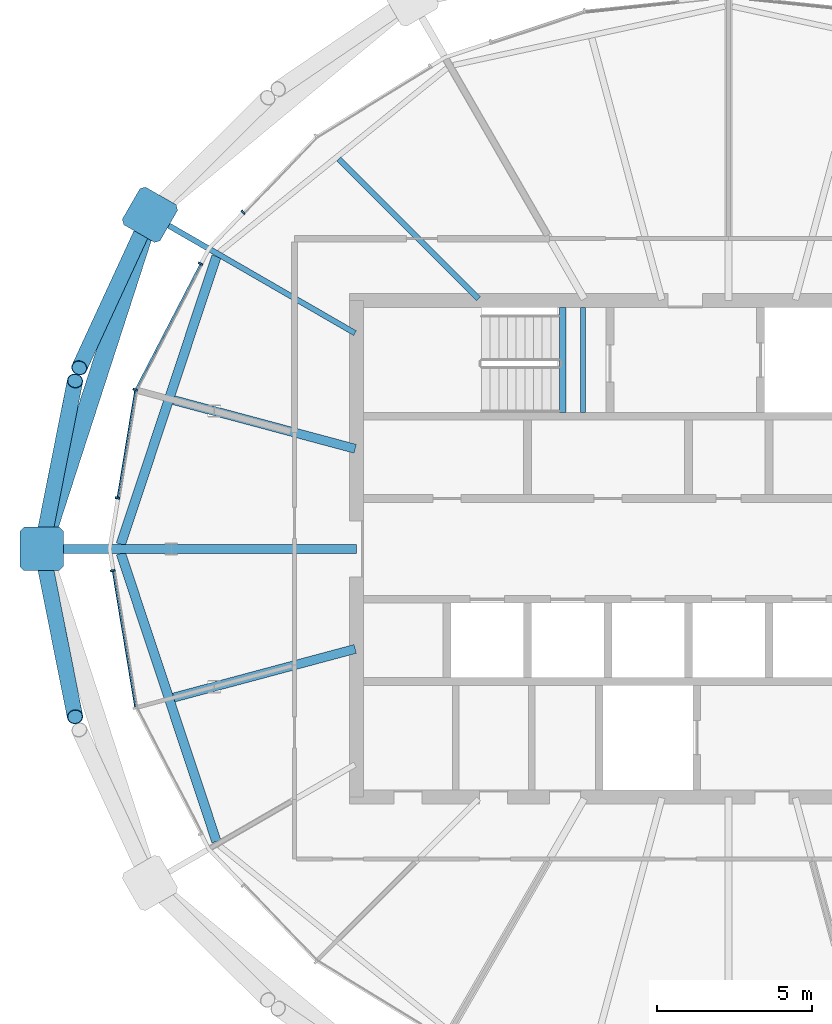
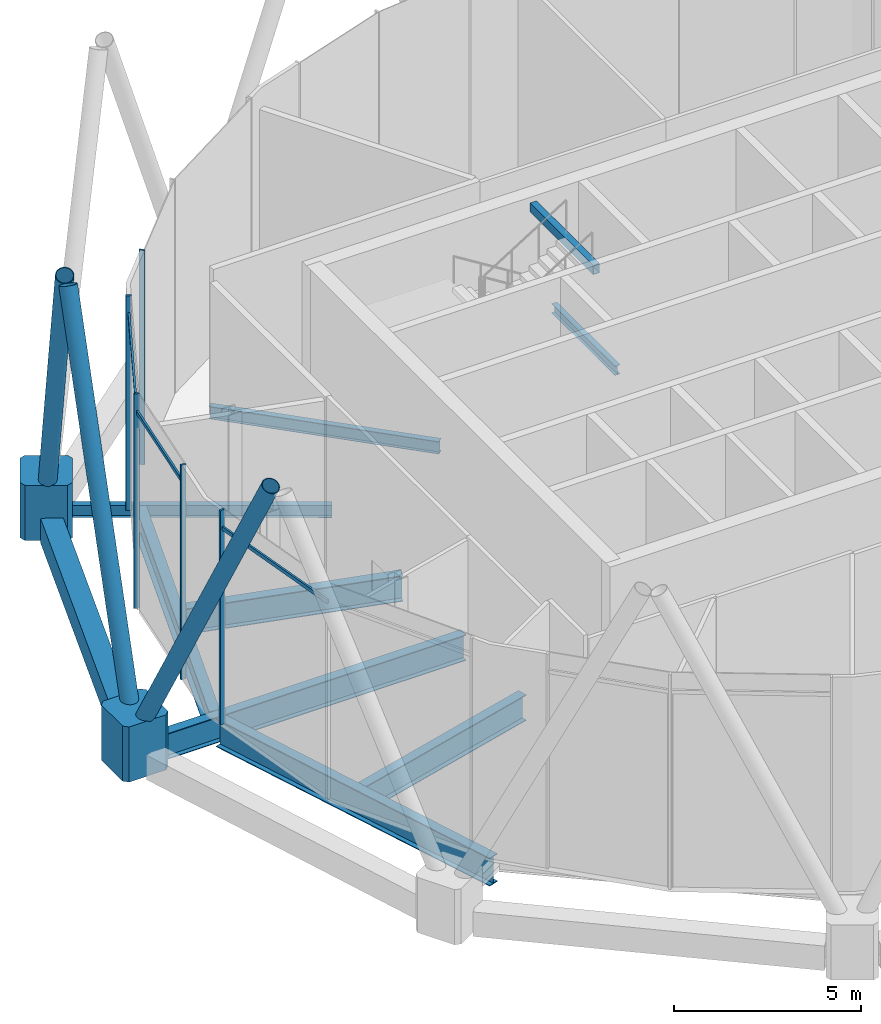
# One storey, part 5 of 28: 13 members, 10 beams, 1 element without a shape of its own.
"""IFC4 building model written with IfcOpenShell, lengths in metres."""

from ifc_helpers import new_model, si_unit, direction, frame, origin, origin_2d, place, context, subcontext, project, spatial, polyline, rectangle, hollow_rectangle, hollow_circle, i_section, outline, extrude, material, material_profile, profile_set, type_object, element, aggregate, save


model = new_model("IFC4")

# Units and contexts
model_context = context("Model", 3, precision=1e-05, world=origin(), true_north=direction((0.0, 1.0)))
body_context = subcontext(model_context, "Body", "Model", "MODEL_VIEW")
ifc_project = project(units=[si_unit("LENGTHUNIT", "METRE"), si_unit("AREAUNIT", "SQUARE_METRE"), si_unit("VOLUMEUNIT", "CUBIC_METRE"), si_unit("PLANEANGLEUNIT", "RADIAN"), si_unit("MASSUNIT", "GRAM", prefix="KILO")], contexts=[model_context])

# Site, building, storey
site_placement = place(None, origin())
site = spatial("IfcSite", under=ifc_project, at=site_placement, CompositionType="ELEMENT")
building_placement = place(site_placement, origin())
building = spatial("IfcBuilding", under=site, at=building_placement, Name="Rimbun Link Towers", CompositionType="ELEMENT")
storey_placement = place(building_placement, frame((0.0, 0.0, 256.10009765625)))
storey = spatial("IfcBuildingStorey", under=building, at=storey_placement, Name="L63", CompositionType="ELEMENT", Elevation=256.10009765625)

# Curtain wall, members
ifc_material_1 = material(Name="Aluminium 6063-T6 and low-iron glass", Category="aluminium")
curtain_wall_type = type_object("IfcCurtainWallType", Name="CW5 full height lobby wall", PredefinedType="NOTDEFINED", material=ifc_material_1)
curtain_wall_placement = place(storey_placement, origin())
curtain_wall = element("IfcCurtainWall", 1, at=curtain_wall_placement, inside=storey, type_object=curtain_wall_type, Name="CW5 L63 T1", PredefinedType="NOTDEFINED")
ifc_material_2 = material(Name="Aluminium 6063-T6", Category="aluminium")
ifc_material_profile_1 = material_profile(ifc_material_2, rectangle(XDim=0.14990234375, YDim=0.06005859375, at=origin_2d()), Name="MULLION 60X150")
ifc_profile_set_1 = profile_set([ifc_material_profile_1], Name="Aluminium 6063-T6")
member_type_1 = type_object("IfcMemberType", Name="CW5 mullion 60X150", PredefinedType="MULLION", material=ifc_profile_set_1)
member_1_placement = place(storey_placement, frame((-47.404296875, 10.852783203125, 0.0), z_axis=(0.0, 0.0, 1.0), x_axis=(-0.721846906045, 0.692052775613, 0.0)))
member_1 = element("IfcMember", 2, at=member_1_placement, type_object=member_type_1, Name="CW5 mullion", PredefinedType="MULLION", context=body_context, shape_type="SweptSolid", body=[
    extrude(rectangle(XDim=0.14990234375, YDim=0.06005859375, at=origin_2d()), origin(), (0.0, 0.0, 1.0), 7.0),
])
member_2_placement = place(storey_placement, frame((-50.877685546875, 5.1298828125, 0.0), z_axis=(0.0, 0.0, 1.0), x_axis=(-0.949163280594, 0.314784159024, 0.0)))
member_2 = element("IfcMember", 3, at=member_2_placement, type_object=member_type_1, Name="CW5 mullion", PredefinedType="MULLION", context=body_context, shape_type="SweptSolid", body=[
    extrude(rectangle(XDim=0.14990234375, YDim=0.06005859375, at=origin_2d()), origin(), (0.0, 0.0, 1.0), 7.0),
])
member_3_placement = place(storey_placement, frame((-48.77685546875, 9.19189453125, 0.0), z_axis=(0.0, 0.0, 1.0), x_axis=(-0.888151565285, 0.459550646917, 0.0)))
member_3 = element("IfcMember", 4, at=member_3_placement, type_object=member_type_1, Name="CW5 mullion", PredefinedType="MULLION", context=body_context, shape_type="SweptSolid", body=[
    extrude(rectangle(XDim=0.14990234375, YDim=0.06005859375, at=origin_2d()), origin(), (0.0, 0.0, 1.0), 7.0),
])
member_4_placement = place(storey_placement, frame((-51.452392578125, 1.640380859375, 0.0), z_axis=(0.0, 0.0, 1.0), x_axis=(-0.986749868791, 0.162248871928, 0.0)))
member_4 = element("IfcMember", 5, at=member_4_placement, type_object=member_type_1, Name="CW5 mullion", PredefinedType="MULLION", context=body_context, shape_type="SweptSolid", body=[
    extrude(rectangle(XDim=0.14990234375, YDim=0.06005859375, at=origin_2d()), origin(), (0.0, 0.0, 1.0), 7.0),
])
member_5_placement = place(storey_placement, frame((-51.6064453125, -0.702880859375, 0.0), z_axis=(0.0, 0.0, 1.0), x_axis=(-0.986749868791, -0.162248871928, 0.0)))
member_5 = element("IfcMember", 6, at=member_5_placement, type_object=member_type_1, Name="CW5 mullion", PredefinedType="MULLION", context=body_context, shape_type="SweptSolid", body=[
    extrude(rectangle(XDim=0.14990234375, YDim=0.06005859375, at=origin_2d()), origin(), (0.0, 0.0, 1.0), 7.0),
])
ifc_material_3 = material(Name="Aluminium 6063-T6", Category="aluminium")
ifc_material_profile_2 = material_profile(ifc_material_3, rectangle(XDim=0.06005859375, YDim=0.1201171875, at=origin_2d()), Name="TRANSOM 60X120")
ifc_profile_set_2 = profile_set([ifc_material_profile_2], Name="Aluminium 6063-T6")
member_type_2 = type_object("IfcMemberType", Name="CW5 transom 60X120", PredefinedType="USERDEFINED", material=ifc_profile_set_2)
member_6_placement = place(storey_placement, frame((-50.84765625, 5.161376953125, 6.39990234375), z_axis=(0.459536524537, 0.888158872396, 0.0), x_axis=(-0.888158872396, 0.459536524537, 0.0)))
member_6 = element("IfcMember", 7, at=member_6_placement, type_object=member_type_2, Name="CW5 transom", ObjectType="TRANSOM", PredefinedType="USERDEFINED", context=body_context, shape_type="SweptSolid", body=[
    extrude(rectangle(XDim=0.06005859375, YDim=0.1201171875, at=origin_2d()), origin(), (0.0, 0.0, 1.0), 4.50146484375),
])
member_7_placement = place(storey_placement, frame((-51.4345703125, 1.667724609375, 6.39990234375), z_axis=(0.162204720611, 0.986757127469, 0.0), x_axis=(-0.986757127469, 0.162204720611, 0.0)))
member_7 = element("IfcMember", 8, at=member_7_placement, type_object=member_type_2, Name="CW5 transom", ObjectType="TRANSOM", PredefinedType="USERDEFINED", context=body_context, shape_type="SweptSolid", body=[
    extrude(rectangle(XDim=0.06005859375, YDim=0.1201171875, at=origin_2d()), origin(), (0.0, 0.0, 1.0), 3.46484375),
])
member_8_placement = place(storey_placement, frame((-50.87255859375, -5.086669921875, 6.39990234375), z_axis=(-0.162201436869, 0.986757667251, 0.0), x_axis=(-0.986757667251, -0.162201436869, 0.0)))
member_8 = element("IfcMember", 9, at=member_8_placement, type_object=member_type_2, Name="CW5 transom", ObjectType="TRANSOM", PredefinedType="USERDEFINED", context=body_context, shape_type="SweptSolid", body=[
    extrude(rectangle(XDim=0.06005859375, YDim=0.1201171875, at=origin_2d()), origin(), (0.0, 0.0, 1.0), 4.41455078125),
])
aggregate(curtain_wall, [member_1, member_2, member_3, member_4, member_5, member_6, member_7, member_8])

# Members
ifc_material_4 = material(Name="Steel S355J2H", Category="steel")
ifc_material_profile_3 = material_profile(ifc_material_4, hollow_circle(Radius=0.25390625, WallThickness=0.02001953125, at=origin_2d()), Name="Diagrid diagonal CHS 508x20")
ifc_profile_set_3 = profile_set([ifc_material_profile_3], Name="Steel S355J2H")
member_type_3 = type_object("IfcMemberType", Name="Diagrid diagonal CHS 508x20", PredefinedType="BRACE", material=ifc_profile_set_3)
member_9_placement = place(storey_placement, frame((-50.498291015625, 10.570556640625, 0.448486328125), z_axis=(-0.185020958526, -0.400785768117, 0.897294830578), x_axis=(0.907922393639, -0.419138315034, 0.0)))
element("IfcMember", 10, at=member_9_placement, inside=storey, type_object=member_type_3, Name="Diagrid diagonal T1 L63-L65 10b", PredefinedType="BRACE", context=body_context, shape_type="SweptSolid", body=[
    extrude(hollow_circle(Radius=0.25390625, WallThickness=0.02001953125, at=origin_2d()), origin(), (0.0, 0.0, 1.0), 11.81640625),
])
for number, where, z_axis, x_axis, name in (
    (11, (-53.8525390625, 0.218994140625, 0.447265625), (0.087052365511, 0.438309793037, 0.89459846355), (-0.980842132448, 0.19480428952, 0.0), "Diagrid diagonal T1 L63-L65 12a"),
    (12, (-53.8525390625, -0.218994140625, 0.447265625), (0.087052365511, -0.438309793037, 0.89459846355), (0.980842132448, 0.19480428952, 0.0), "Diagrid diagonal T1 L63-L65 12b"),
):
    element("IfcMember", number, at=place(storey_placement, frame(where, z_axis=z_axis, x_axis=x_axis)), inside=storey, type_object=member_type_3, Name=name, PredefinedType="BRACE", context=body_context, shape_type="SweptSolid", body=[
        extrude(hollow_circle(Radius=0.25390625, WallThickness=0.02001953125, at=origin_2d()), origin(), (0.0, 0.0, 1.0), 11.854736328125),
    ])
ifc_material_5 = material(Name="Cast steel G20Mn5+QT, Rp0.2 300 MPa", Category="steel")
ifc_material_profile_4 = material_profile(ifc_material_5, outline(polyline([(0.699951171875, -0.570068359375), (0.699951171875, 0.570068359375), (0.570068359375, 0.699951171875), (-0.570068359375, 0.699951171875), (-0.699951171875, 0.570068359375), (-0.699951171875, -0.570068359375), (-0.570068359375, -0.699951171875), (0.570068359375, -0.699951171875), (0.699951171875, -0.570068359375)])), Name="NODE 1400x1400")
ifc_profile_set_4 = profile_set([ifc_material_profile_4], Name="Cast steel G20Mn5+QT, Rp0.2 300 MPa")
member_type_4 = type_object("IfcMemberType", Name="Diagrid node cast 1400", PredefinedType="USERDEFINED", material=ifc_profile_set_4)
for number, where, z_axis, x_axis, name in (
    (13, (-50.406005859375, 10.77099609375, -0.900146484375), (0.0, 0.0, 1.0), (-0.866025403784, 0.5, 0.0), "Diagrid node L63 10"),
    (14, (-53.89599609375, 0.0, -0.900146484375), (0.0, 0.0, 1.0), (-1.0, 0.0, 0.0), "Diagrid node L63 12"),
):
    element("IfcMember", number, at=place(storey_placement, frame(where, z_axis=z_axis, x_axis=x_axis)), inside=storey, type_object=member_type_4, Name=name, ObjectType="Diagrid node", PredefinedType="USERDEFINED", context=body_context, shape_type="SweptSolid", body=[
        extrude(outline(polyline([(0.699951171875, -0.570068359375), (0.699951171875, 0.570068359375), (0.570068359375, 0.699951171875), (-0.570068359375, 0.699951171875), (-0.699951171875, 0.570068359375), (-0.699951171875, -0.570068359375), (-0.570068359375, -0.699951171875), (0.570068359375, -0.699951171875), (0.699951171875, -0.570068359375)])), origin(), (0.0, 0.0, 1.0), 1.800048828125),
    ])

# Beams
ifc_material_6 = material(Name="Steel S355J2", Category="steel")
ifc_material_profile_5 = material_profile(ifc_material_6, hollow_rectangle(XDim=0.60009765625, YDim=0.800048828125, WallThickness=0.0400390625, at=origin_2d()), Name="Exoskeleton ring girder BOX 600x800x40")
ifc_profile_set_5 = profile_set([ifc_material_profile_5], Name="Steel S355J2")
beam_type_1 = type_object("IfcBeamType", Name="Exoskeleton ring girder BOX 600x800x40", PredefinedType="BEAM", material=ifc_profile_set_5)
beam_1_placement = place(storey_placement, frame((-50.62158203125, 10.10498046875, -0.56005859375), z_axis=(-0.308259184516, -0.951302409942, 0.0), x_axis=(0.951302409942, -0.308259184516, 0.0)))
element("IfcBeam", 15, at=beam_1_placement, inside=storey, type_object=beam_type_1, Name="Exoskeleton ring girder L63 05", PredefinedType="BEAM", context=body_context, shape_type="SweptSolid", body=[
    extrude(hollow_rectangle(XDim=0.60009765625, YDim=0.800048828125, WallThickness=0.0400390625, at=origin_2d()), origin(), (0.0, 0.0, 1.0), 9.922119140625),
])
ifc_material_7 = material(Name="Steel S355J2", Category="steel")
ifc_material_profile_6 = material_profile(ifc_material_7, i_section(OverallWidth=0.1650390625, OverallDepth=0.303466796875, WebThickness=0.006103515625, FlangeThickness=0.01025390625, at=origin_2d()), Name="UB 305x165x40")
ifc_profile_set_6 = profile_set([ifc_material_profile_6], Name="Steel S355J2")
beam_type_2 = type_object("IfcBeamType", Name="Stair landing beam UB 305x165x40", PredefinedType="BEAM", material=ifc_profile_set_6)
beam_2_placement = place(storey_placement, frame((-36.449951171875, 7.77490234375, 3.148193359375), z_axis=(0.0, -1.0, 0.0), x_axis=(1.0, 0.0, 0.0)))
element("IfcBeam", 16, at=beam_2_placement, inside=storey, type_object=beam_type_2, Name="L63 ST1 stair beam 1", PredefinedType="BEAM", context=body_context, shape_type="SweptSolid", body=[
    extrude(i_section(OverallWidth=0.1650390625, OverallDepth=0.303466796875, WebThickness=0.006103515625, FlangeThickness=0.01025390625, at=origin_2d()), origin(), (0.0, 0.0, 1.0), 3.375),
])
ifc_material_8 = material(Name="Steel S355J2", Category="steel")
ifc_material_profile_7 = material_profile(ifc_material_8, hollow_rectangle(XDim=0.199951171875, YDim=0.300048828125, WallThickness=0.011962890625, at=origin_2d()), Name="BOX 300x200x12")
ifc_profile_set_7 = profile_set([ifc_material_profile_7], Name="Steel S355J2")
beam_type_3 = type_object("IfcBeamType", Name="Stair trimmer beam BOX 300x200x12", PredefinedType="BEAM", material=ifc_profile_set_7)
beam_3_placement = place(storey_placement, frame((-37.10009765625, 7.77490234375, 6.669921875), z_axis=(0.0, -1.0, 0.0), x_axis=(1.0, 0.0, 0.0)))
element("IfcBeam", 17, at=beam_3_placement, inside=storey, type_object=beam_type_3, Name="L63 ST1 stair beam 2", PredefinedType="BEAM", context=body_context, shape_type="SweptSolid", body=[
    extrude(hollow_rectangle(XDim=0.199951171875, YDim=0.300048828125, WallThickness=0.011962890625, at=origin_2d()), origin(), (0.0, 0.0, 1.0), 3.375),
])
ifc_material_9 = material(Name="Steel S355J2", Category="steel")
ifc_material_profile_8 = material_profile(ifc_material_9, i_section(OverallWidth=0.177978515625, OverallDepth=0.406494140625, WebThickness=0.0078125, FlangeThickness=0.0126953125, at=origin_2d()), Name="UB 406x178x60")
ifc_profile_set_8 = profile_set([ifc_material_profile_8], Name="Steel S355J2")
beam_type_4 = type_object("IfcBeamType", Name="UB 406x178x60", PredefinedType="BEAM", material=ifc_profile_set_8)
beam_4_placement = place(storey_placement, frame((-39.813720703125, 8.063720703125, -0.38330078125), z_axis=(-0.707106781187, 0.707106781187, 0.0), x_axis=(-0.707106781187, -0.707106781187, 0.0)))
element("IfcBeam", 18, at=beam_4_placement, inside=storey, type_object=beam_type_4, Name="Radial beam T1 L63 09", PredefinedType="BEAM", context=body_context, shape_type="SweptSolid", body=[
    extrude(i_section(OverallWidth=0.177978515625, OverallDepth=0.406494140625, WebThickness=0.0078125, FlangeThickness=0.0126953125, at=origin_2d()), origin(), (0.0, 0.0, 1.0), 6.366455078125),
])
beam_5_placement = place(storey_placement, frame((-43.79541015625, 6.954345703125, -0.38330078125), z_axis=(-0.866020866682, 0.50000785841, 0.0), x_axis=(-0.50000785841, -0.866020866682, 0.0)))
element("IfcBeam", 19, at=beam_5_placement, inside=storey, type_object=beam_type_4, Name="Radial beam T1 L63 10", PredefinedType="BEAM", context=body_context, shape_type="SweptSolid", body=[
    extrude(i_section(OverallWidth=0.177978515625, OverallDepth=0.406494140625, WebThickness=0.0078125, FlangeThickness=0.0126953125, at=origin_2d()), origin(), (0.0, 0.0, 1.0), 7.13330078125),
])
ifc_material_10 = material(Name="Steel S355J2", Category="steel")
ifc_material_profile_9 = material_profile(ifc_material_10, i_section(OverallWidth=0.29248046875, OverallDepth=0.8408203125, WebThickness=0.0126953125, FlangeThickness=0.021728515625, at=origin_2d()), Name="UB 838x292x194")
ifc_profile_set_9 = profile_set([ifc_material_profile_9], Name="Steel S355J2")
beam_type_5 = type_object("IfcBeamType", Name="UB 838x292x194", PredefinedType="BEAM", material=ifc_profile_set_9)
beam_6_placement = place(storey_placement, frame((-43.788818359375, 3.225830078125, -0.600341796875), z_axis=(-0.965922504625, 0.258831441404, 0.0), x_axis=(-0.258831441404, -0.965922504625, 0.0)))
element("IfcBeam", 20, at=beam_6_placement, inside=storey, type_object=beam_type_5, Name="Radial beam T1 L63 11", PredefinedType="BEAM", context=body_context, shape_type="SweptSolid", body=[
    extrude(i_section(OverallWidth=0.29248046875, OverallDepth=0.8408203125, WebThickness=0.0126953125, FlangeThickness=0.021728515625, at=origin_2d()), origin(), (0.0, 0.0, 1.0), 6.0576171875),
])
beam_7_placement = place(storey_placement, frame((-43.7509765625, 0.0, -0.600341796875), z_axis=(-1.0, 0.0, 0.0), x_axis=(0.0, -1.0, 0.0)))
element("IfcBeam", 21, at=beam_7_placement, inside=storey, type_object=beam_type_5, Name="Radial beam T1 L63 12", PredefinedType="BEAM", context=body_context, shape_type="SweptSolid", body=[
    extrude(i_section(OverallWidth=0.29248046875, OverallDepth=0.8408203125, WebThickness=0.0126953125, FlangeThickness=0.021728515625, at=origin_2d()), origin(), (0.0, 0.0, 1.0), 9.64501953125),
])
beam_8_placement = place(storey_placement, frame((-43.788818359375, -3.225830078125, -0.600341796875), z_axis=(-0.965922504625, -0.258831441404, 0.0), x_axis=(0.258831441404, -0.965922504625, 0.0)))
element("IfcBeam", 22, at=beam_8_placement, inside=storey, type_object=beam_type_5, Name="Radial beam T1 L63 13", PredefinedType="BEAM", context=body_context, shape_type="SweptSolid", body=[
    extrude(i_section(OverallWidth=0.29248046875, OverallDepth=0.8408203125, WebThickness=0.0126953125, FlangeThickness=0.021728515625, at=origin_2d()), origin(), (0.0, 0.0, 1.0), 6.0576171875),
])
ifc_material_11 = material(Name="Steel S355J2", Category="steel")
ifc_material_profile_10 = material_profile(ifc_material_11, i_section(OverallWidth=0.305419921875, OverallDepth=0.91845703125, WebThickness=0.017333984375, FlangeThickness=0.02783203125, at=origin_2d()), Name="UB 914x305x253")
ifc_profile_set_10 = profile_set([ifc_material_profile_10], Name="Steel S355J2")
beam_type_6 = type_object("IfcBeamType", Name="UB 914x305x253", PredefinedType="BEAM", material=ifc_profile_set_10)
for number, where, z_axis, x_axis, name in (
    (23, (-48.263427734375, 9.43017578125, -0.639404296875), (-0.314939460285, -0.949111761783, 0.0), (0.949111761783, -0.314939460285, 0.0), "Edge beam T1 L63 10-12"),
    (24, (-51.34375, -0.147216796875, -0.639404296875), (0.314939460285, -0.949111761783, 0.0), (0.949111761783, 0.314939460285, 0.0), "Edge beam T1 L63 12-14"),
):
    element("IfcBeam", number, at=place(storey_placement, frame(where, z_axis=z_axis, x_axis=x_axis)), inside=storey, type_object=beam_type_6, Name=name, PredefinedType="BEAM", context=body_context, shape_type="SweptSolid", body=[
        extrude(i_section(OverallWidth=0.305419921875, OverallDepth=0.91845703125, WebThickness=0.017333984375, FlangeThickness=0.02783203125, at=origin_2d()), origin(), (0.0, 0.0, 1.0), 9.78076171875),
    ])

save(model, "model.ifc")
